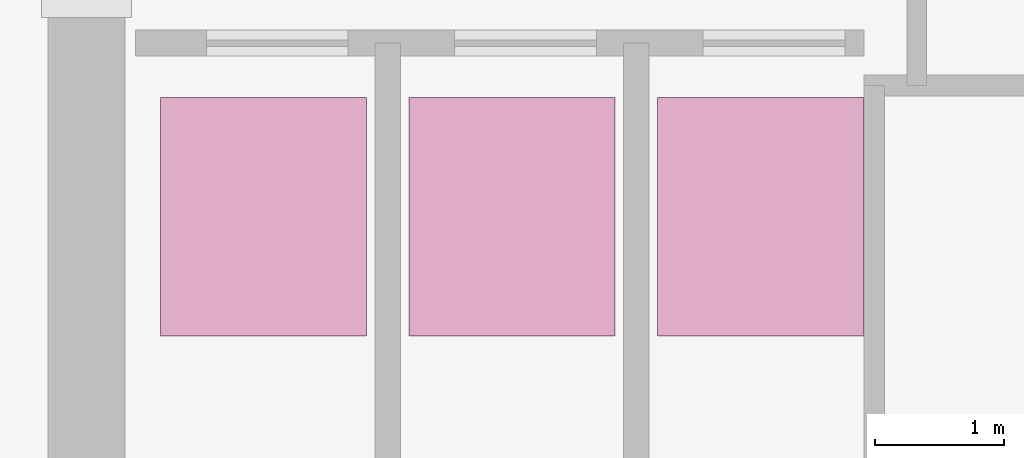
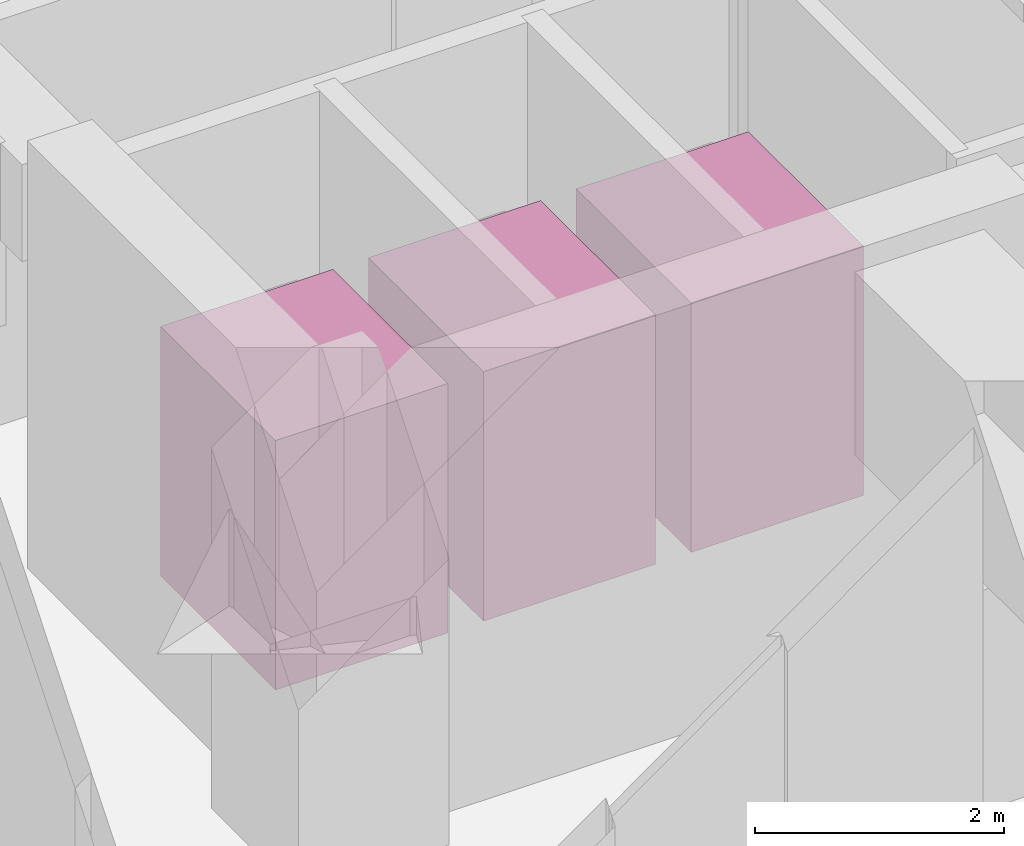
# One storey, part 40 of 40: 3 transport elements.
"""IFC4 building model written with IfcOpenShell, lengths in metres."""

from ifc_helpers import new_model, si_unit, direction, frame, origin, place, context, subcontext, project, spatial, polyline, outline, extrude, material, type_object, element, save


model = new_model("IFC4")

# Units and contexts
model_context = context("Model", 3, precision=1e-05, world=origin(), true_north=direction((0.0, 1.0)))
body_context = subcontext(model_context, "Body", "Model", "MODEL_VIEW")
ifc_project = project(units=[si_unit("LENGTHUNIT", "METRE"), si_unit("AREAUNIT", "SQUARE_METRE"), si_unit("VOLUMEUNIT", "CUBIC_METRE"), si_unit("PLANEANGLEUNIT", "RADIAN"), si_unit("MASSUNIT", "GRAM", prefix="KILO")], contexts=[model_context])

# Site, building, storey
site_placement = place(None, origin())
site = spatial("IfcSite", under=ifc_project, at=site_placement, CompositionType="ELEMENT")
building_placement = place(site_placement, origin())
building = spatial("IfcBuilding", under=site, at=building_placement, Name="Kolvaren Belvedere", CompositionType="ELEMENT")
storey_placement = place(building_placement, frame((0.0, 0.0, 68.0)))
storey = spatial("IfcBuildingStorey", under=building, at=storey_placement, Name="L19", CompositionType="ELEMENT", Elevation=68.0)

# Transport elements
ifc_material = material(Name="Brushed stainless steel & laminated glass", Category="steel")
transport_element_type = type_object("IfcTransportElementType", Name="LIFT-PASS-MID", PredefinedType="ELEVATOR", material=ifc_material)
transport_element_1_placement = place(storey_placement, origin())
element("IfcTransportElement", 1, at=transport_element_1_placement, inside=storey, type_object=transport_element_type, Name="Passenger Lift P4", PredefinedType="ELEVATOR", context=body_context, shape_type="SweptSolid", body=[
    extrude(outline(polyline([(-9.324951171875, -8.02490234375), (-7.72509765625, -8.02490234375), (-7.72509765625, -6.175048828125), (-9.324951171875, -6.175048828125), (-9.324951171875, -8.02490234375)])), origin(), (0.0, 0.0, 1.0), 2.449951171875),
])
transport_element_2_placement = place(storey_placement, origin())
element("IfcTransportElement", 2, at=transport_element_2_placement, inside=storey, type_object=transport_element_type, Name="Passenger Lift P5", PredefinedType="ELEVATOR", context=body_context, shape_type="SweptSolid", body=[
    extrude(outline(polyline([(-7.39501953125, -8.02490234375), (-5.794921875, -8.02490234375), (-5.794921875, -6.175048828125), (-7.39501953125, -6.175048828125), (-7.39501953125, -8.02490234375)])), origin(), (0.0, 0.0, 1.0), 2.449951171875),
])
transport_element_3_placement = place(storey_placement, origin())
element("IfcTransportElement", 3, at=transport_element_3_placement, inside=storey, type_object=transport_element_type, Name="Passenger Lift P6", PredefinedType="ELEVATOR", context=body_context, shape_type="SweptSolid", body=[
    extrude(outline(polyline([(-5.465087890625, -8.02490234375), (-3.864990234375, -8.02490234375), (-3.864990234375, -6.175048828125), (-5.465087890625, -6.175048828125), (-5.465087890625, -8.02490234375)])), origin(), (0.0, 0.0, 1.0), 2.449951171875),
])

save(model, "model.ifc")
